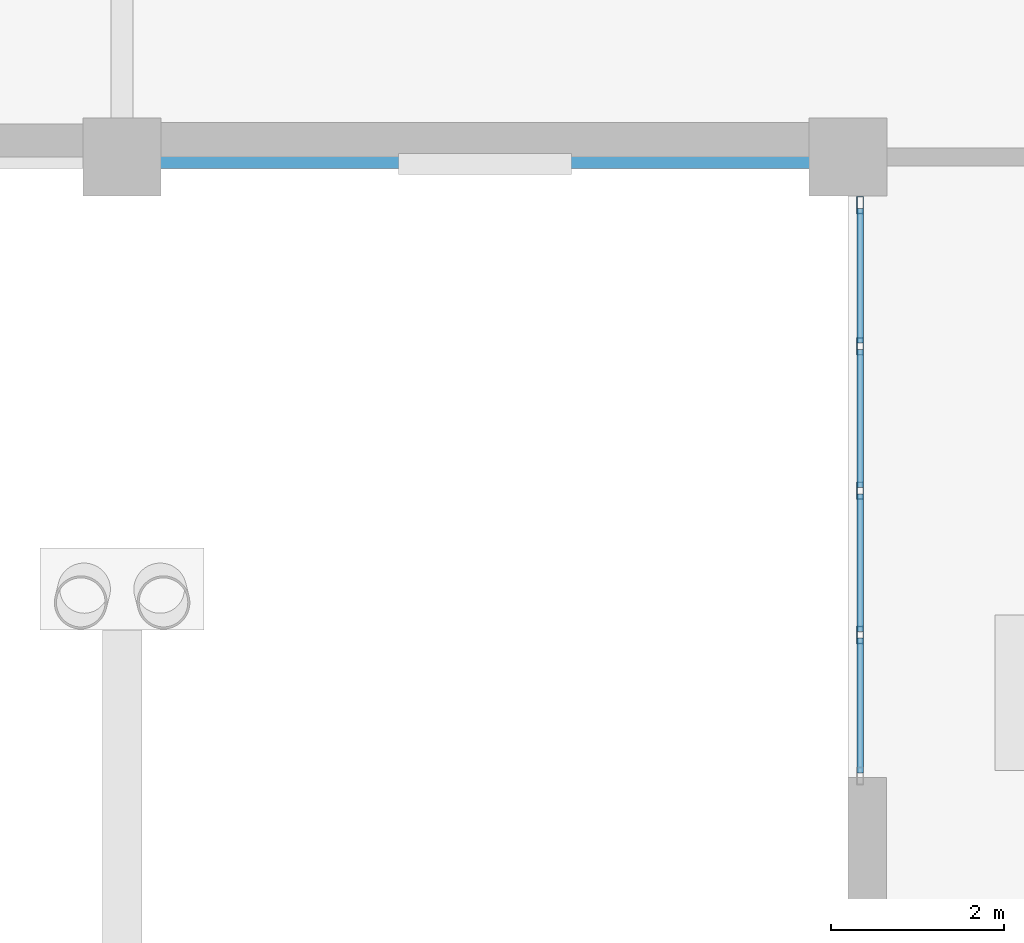
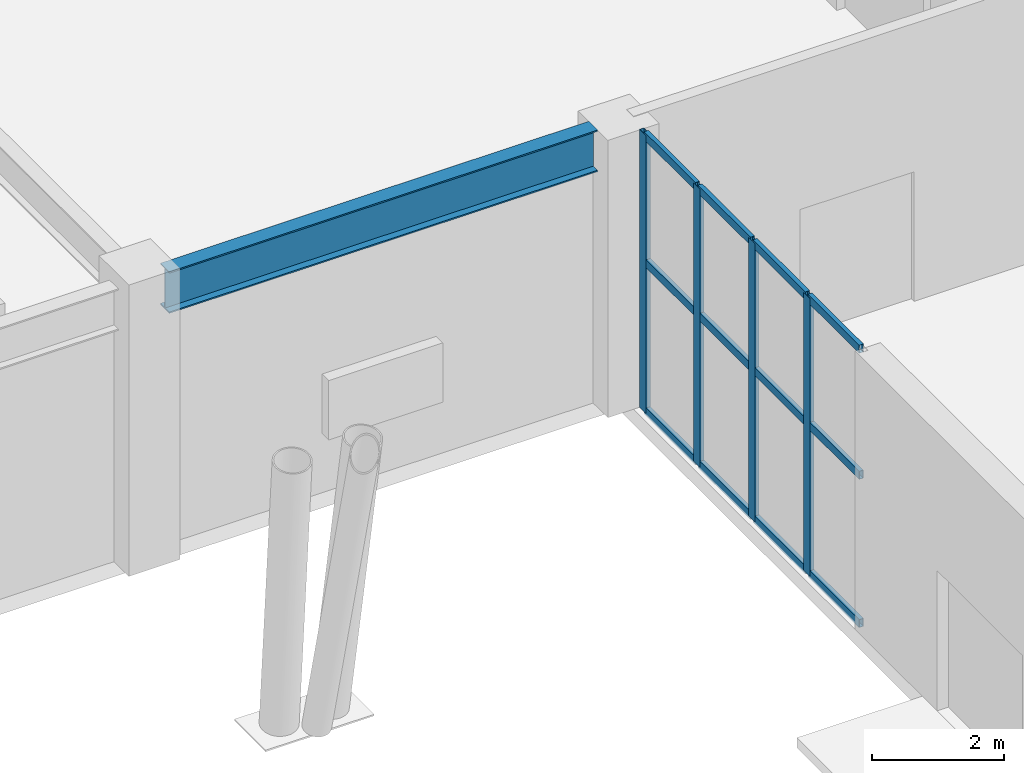
# One storey, part 11 of 139: 16 members, 1 beam, 1 element without a shape of its own.
"""IFC4 building model written with IfcOpenShell, lengths in metres."""

from ifc_helpers import new_model, si_unit, direction, frame, origin, origin_2d, place, context, subcontext, project, spatial, hollow_rectangle, i_section, extrude, material, layer, layer_set, material_profile, profile_set, type_object, element, aggregate, save


model = new_model("IFC4")

# Units and contexts
model_context = context("Model", 3, precision=1e-05, world=origin(), true_north=direction((0.0, 1.0)))
body_context = subcontext(model_context, "Body", "Model", "MODEL_VIEW")
ifc_project = project(units=[si_unit("LENGTHUNIT", "METRE"), si_unit("AREAUNIT", "SQUARE_METRE"), si_unit("VOLUMEUNIT", "CUBIC_METRE"), si_unit("PLANEANGLEUNIT", "RADIAN"), si_unit("MASSUNIT", "GRAM", prefix="KILO")], contexts=[model_context])

# Site, building, storey
site_placement = place(None, origin())
site = spatial("IfcSite", under=ifc_project, at=site_placement, CompositionType="ELEMENT")
building_placement = place(site_placement, origin())
building = spatial("IfcBuilding", under=site, at=building_placement, Name="Xicomal Pleat Aquarium", CompositionType="ELEMENT")
storey_placement = place(building_placement, origin())
storey = spatial("IfcBuildingStorey", under=building, at=storey_placement, Name="L01", CompositionType="ELEMENT", Elevation=0.0)

# Beam
ifc_material_1 = material(Name="Structural steel A992 Gr 50", Category="steel")
ifc_material_profile_1 = material_profile(ifc_material_1, i_section(OverallWidth=0.26806640625, OverallDepth=0.77001953125, WebThickness=0.015625, FlangeThickness=0.025390625, at=origin_2d()), Name="IR 760x196")
ifc_profile_set_1 = profile_set([ifc_material_profile_1], Name="Structural steel A992 Gr 50")
beam_type = type_object("IfcBeamType", Name="BM-STL-IR760", PredefinedType="BEAM", material=ifc_profile_set_1)
beam_placement = place(storey_placement, frame((35.844970703125, 15.199951171875, 4.7548828125), z_axis=(1.0, 0.0, 0.0), x_axis=(0.0, 1.0, 0.0)))
element("IfcBeam", 1, at=beam_placement, inside=storey, type_object=beam_type, Name="L01 framing beam FGX-L01-05-06-C", PredefinedType="BEAM", context=body_context, shape_type="SweptSolid", body=[
    extrude(i_section(OverallWidth=0.26806640625, OverallDepth=0.77001953125, WebThickness=0.015625, FlangeThickness=0.025390625, at=origin_2d()), origin(), (0.0, 0.0, 1.0), 7.510009765625),
])

# Curtain wall, members
ifc_material_2 = material(Name="Bronze anodized aluminium 6063-T6", Category="aluminium")
ifc_layer = layer(ifc_material_2, 0.159912109375)
ifc_layer_set = layer_set([ifc_layer], Name="Bronze anodized aluminium 6063-T6")
curtain_wall_type = type_object("IfcCurtainWallType", Name="CW-SYS-06", PredefinedType="NOTDEFINED", material=ifc_layer_set)
curtain_wall_placement = place(storey_placement, origin())
curtain_wall = element("IfcCurtainWall", 2, at=curtain_wall_placement, inside=storey, type_object=curtain_wall_type, Name="L01 unitised curtain wall CW-L01-007", PredefinedType="NOTDEFINED")
ifc_material_3 = material(Name="Bronze anodized aluminium 6063-T6", Category="aluminium")
ifc_material_profile_2 = material_profile(ifc_material_3, hollow_rectangle(XDim=0.074951171875, YDim=0.199951171875, WallThickness=0.00439453125, at=origin_2d()), Name="ALU MULL 75x200")
ifc_profile_set_2 = profile_set([ifc_material_profile_2], Name="Bronze anodized aluminium 6063-T6")
member_type_1 = type_object("IfcMemberType", Name="CWM-75x200", PredefinedType="MULLION", material=ifc_profile_set_2)
member_1_placement = place(storey_placement, frame((43.93994140625, 9.669921875, 0.0), z_axis=(0.0, 0.0, 1.0), x_axis=(-1.0, 0.0, 0.0)))
member_1 = element("IfcMember", 3, at=member_1_placement, type_object=member_type_1, Name="CW-06 mullion 2", PredefinedType="MULLION", context=body_context, shape_type="SweptSolid", body=[
    extrude(hollow_rectangle(XDim=0.074951171875, YDim=0.199951171875, WallThickness=0.00439453125, at=origin_2d()), origin(), (0.0, 0.0, 1.0), 5.159912109375),
])
member_2_placement = place(storey_placement, frame((43.93994140625, 11.340087890625, 0.0), z_axis=(0.0, 0.0, 1.0), x_axis=(-1.0, 0.0, 0.0)))
member_2 = element("IfcMember", 4, at=member_2_placement, type_object=member_type_1, Name="CW-06 mullion 3", PredefinedType="MULLION", context=body_context, shape_type="SweptSolid", body=[
    extrude(hollow_rectangle(XDim=0.074951171875, YDim=0.199951171875, WallThickness=0.00439453125, at=origin_2d()), origin(), (0.0, 0.0, 1.0), 5.159912109375),
])
member_3_placement = place(storey_placement, frame((43.93994140625, 13.010009765625, 0.0), z_axis=(0.0, 0.0, 1.0), x_axis=(-1.0, 0.0, 0.0)))
member_3 = element("IfcMember", 5, at=member_3_placement, type_object=member_type_1, Name="CW-06 mullion 4", PredefinedType="MULLION", context=body_context, shape_type="SweptSolid", body=[
    extrude(hollow_rectangle(XDim=0.074951171875, YDim=0.199951171875, WallThickness=0.00439453125, at=origin_2d()), origin(), (0.0, 0.0, 1.0), 5.159912109375),
])
member_4_placement = place(storey_placement, frame((43.93994140625, 14.642578125, 0.0), z_axis=(0.0, 0.0, 1.0), x_axis=(-1.0, 0.0, 0.0)))
member_4 = element("IfcMember", 6, at=member_4_placement, type_object=member_type_1, Name="CW-06 mullion 5", PredefinedType="MULLION", context=body_context, shape_type="SweptSolid", body=[
    extrude(hollow_rectangle(XDim=0.074951171875, YDim=0.199951171875, WallThickness=0.00439453125, at=origin_2d()), origin(), (0.0, 0.0, 1.0), 5.159912109375),
])
ifc_material_4 = material(Name="Bronze anodized aluminium 6063-T6", Category="aluminium")
ifc_material_profile_3 = material_profile(ifc_material_4, hollow_rectangle(XDim=0.074951171875, YDim=0.14990234375, WallThickness=0.00439453125, at=origin_2d()), Name="ALU TRAN 75x150")
ifc_profile_set_3 = profile_set([ifc_material_profile_3], Name="Bronze anodized aluminium 6063-T6")
member_type_2 = type_object("IfcMemberType", Name="CWT-75x150", PredefinedType="USERDEFINED", material=ifc_profile_set_3)
member_5_placement = place(storey_placement, frame((43.93994140625, 8.074951171875, 0.03759765625), z_axis=(0.0, 1.0, 0.0), x_axis=(-1.0, 0.0, 0.0)))
member_5 = element("IfcMember", 7, at=member_5_placement, type_object=member_type_2, Name="CW-06 transom 1.1", ObjectType="TRANSOM", PredefinedType="USERDEFINED", context=body_context, shape_type="SweptSolid", body=[
    extrude(hollow_rectangle(XDim=0.074951171875, YDim=0.14990234375, WallThickness=0.00439453125, at=origin_2d()), origin(), (0.0, 0.0, 1.0), 1.5576171875),
])
member_6_placement = place(storey_placement, frame((43.93994140625, 8.074951171875, 2.785888671875), z_axis=(0.0, 1.0, 0.0), x_axis=(-1.0, 0.0, 0.0)))
member_6 = element("IfcMember", 8, at=member_6_placement, type_object=member_type_2, Name="CW-06 transom 1.2", ObjectType="TRANSOM", PredefinedType="USERDEFINED", context=body_context, shape_type="SweptSolid", body=[
    extrude(hollow_rectangle(XDim=0.074951171875, YDim=0.14990234375, WallThickness=0.00439453125, at=origin_2d()), origin(), (0.0, 0.0, 1.0), 1.5576171875),
])
member_7_placement = place(storey_placement, frame((43.93994140625, 8.074951171875, 5.12255859375), z_axis=(0.0, 1.0, 0.0), x_axis=(-1.0, 0.0, 0.0)))
member_7 = element("IfcMember", 9, at=member_7_placement, type_object=member_type_2, Name="CW-06 transom 1.3", ObjectType="TRANSOM", PredefinedType="USERDEFINED", context=body_context, shape_type="SweptSolid", body=[
    extrude(hollow_rectangle(XDim=0.074951171875, YDim=0.14990234375, WallThickness=0.00439453125, at=origin_2d()), origin(), (0.0, 0.0, 1.0), 1.5576171875),
])
member_8_placement = place(storey_placement, frame((43.93994140625, 9.70751953125, 0.03759765625), z_axis=(0.0, 1.0, 0.0), x_axis=(-1.0, 0.0, 0.0)))
member_8 = element("IfcMember", 10, at=member_8_placement, type_object=member_type_2, Name="CW-06 transom 2.1", ObjectType="TRANSOM", PredefinedType="USERDEFINED", context=body_context, shape_type="SweptSolid", body=[
    extrude(hollow_rectangle(XDim=0.074951171875, YDim=0.14990234375, WallThickness=0.00439453125, at=origin_2d()), origin(), (0.0, 0.0, 1.0), 1.594970703125),
])
member_9_placement = place(storey_placement, frame((43.93994140625, 9.70751953125, 2.785888671875), z_axis=(0.0, 1.0, 0.0), x_axis=(-1.0, 0.0, 0.0)))
member_9 = element("IfcMember", 11, at=member_9_placement, type_object=member_type_2, Name="CW-06 transom 2.2", ObjectType="TRANSOM", PredefinedType="USERDEFINED", context=body_context, shape_type="SweptSolid", body=[
    extrude(hollow_rectangle(XDim=0.074951171875, YDim=0.14990234375, WallThickness=0.00439453125, at=origin_2d()), origin(), (0.0, 0.0, 1.0), 1.594970703125),
])
member_10_placement = place(storey_placement, frame((43.93994140625, 9.70751953125, 5.12255859375), z_axis=(0.0, 1.0, 0.0), x_axis=(-1.0, 0.0, 0.0)))
member_10 = element("IfcMember", 12, at=member_10_placement, type_object=member_type_2, Name="CW-06 transom 2.3", ObjectType="TRANSOM", PredefinedType="USERDEFINED", context=body_context, shape_type="SweptSolid", body=[
    extrude(hollow_rectangle(XDim=0.074951171875, YDim=0.14990234375, WallThickness=0.00439453125, at=origin_2d()), origin(), (0.0, 0.0, 1.0), 1.594970703125),
])
member_11_placement = place(storey_placement, frame((43.93994140625, 11.37744140625, 0.03759765625), z_axis=(0.0, 1.0, 0.0), x_axis=(-1.0, 0.0, 0.0)))
member_11 = element("IfcMember", 13, at=member_11_placement, type_object=member_type_2, Name="CW-06 transom 3.1", ObjectType="TRANSOM", PredefinedType="USERDEFINED", context=body_context, shape_type="SweptSolid", body=[
    extrude(hollow_rectangle(XDim=0.074951171875, YDim=0.14990234375, WallThickness=0.00439453125, at=origin_2d()), origin(), (0.0, 0.0, 1.0), 1.594970703125),
])
member_12_placement = place(storey_placement, frame((43.93994140625, 11.37744140625, 2.785888671875), z_axis=(0.0, 1.0, 0.0), x_axis=(-1.0, 0.0, 0.0)))
member_12 = element("IfcMember", 14, at=member_12_placement, type_object=member_type_2, Name="CW-06 transom 3.2", ObjectType="TRANSOM", PredefinedType="USERDEFINED", context=body_context, shape_type="SweptSolid", body=[
    extrude(hollow_rectangle(XDim=0.074951171875, YDim=0.14990234375, WallThickness=0.00439453125, at=origin_2d()), origin(), (0.0, 0.0, 1.0), 1.594970703125),
])
member_13_placement = place(storey_placement, frame((43.93994140625, 11.37744140625, 5.12255859375), z_axis=(0.0, 1.0, 0.0), x_axis=(-1.0, 0.0, 0.0)))
member_13 = element("IfcMember", 15, at=member_13_placement, type_object=member_type_2, Name="CW-06 transom 3.3", ObjectType="TRANSOM", PredefinedType="USERDEFINED", context=body_context, shape_type="SweptSolid", body=[
    extrude(hollow_rectangle(XDim=0.074951171875, YDim=0.14990234375, WallThickness=0.00439453125, at=origin_2d()), origin(), (0.0, 0.0, 1.0), 1.594970703125),
])
member_14_placement = place(storey_placement, frame((43.93994140625, 13.047607421875, 0.03759765625), z_axis=(0.0, 1.0, 0.0), x_axis=(-1.0, 0.0, 0.0)))
member_14 = element("IfcMember", 16, at=member_14_placement, type_object=member_type_2, Name="CW-06 transom 4.1", ObjectType="TRANSOM", PredefinedType="USERDEFINED", context=body_context, shape_type="SweptSolid", body=[
    extrude(hollow_rectangle(XDim=0.074951171875, YDim=0.14990234375, WallThickness=0.00439453125, at=origin_2d()), origin(), (0.0, 0.0, 1.0), 1.557373046875),
])
member_15_placement = place(storey_placement, frame((43.93994140625, 13.047607421875, 2.785888671875), z_axis=(0.0, 1.0, 0.0), x_axis=(-1.0, 0.0, 0.0)))
member_15 = element("IfcMember", 17, at=member_15_placement, type_object=member_type_2, Name="CW-06 transom 4.2", ObjectType="TRANSOM", PredefinedType="USERDEFINED", context=body_context, shape_type="SweptSolid", body=[
    extrude(hollow_rectangle(XDim=0.074951171875, YDim=0.14990234375, WallThickness=0.00439453125, at=origin_2d()), origin(), (0.0, 0.0, 1.0), 1.557373046875),
])
member_16_placement = place(storey_placement, frame((43.93994140625, 13.047607421875, 5.12255859375), z_axis=(0.0, 1.0, 0.0), x_axis=(-1.0, 0.0, 0.0)))
member_16 = element("IfcMember", 18, at=member_16_placement, type_object=member_type_2, Name="CW-06 transom 4.3", ObjectType="TRANSOM", PredefinedType="USERDEFINED", context=body_context, shape_type="SweptSolid", body=[
    extrude(hollow_rectangle(XDim=0.074951171875, YDim=0.14990234375, WallThickness=0.00439453125, at=origin_2d()), origin(), (0.0, 0.0, 1.0), 1.557373046875),
])
aggregate(curtain_wall, [member_1, member_2, member_3, member_4, member_5, member_6, member_7, member_8, member_9, member_10, member_11, member_12, member_13, member_14, member_15, member_16])

save(model, "model.ifc")
